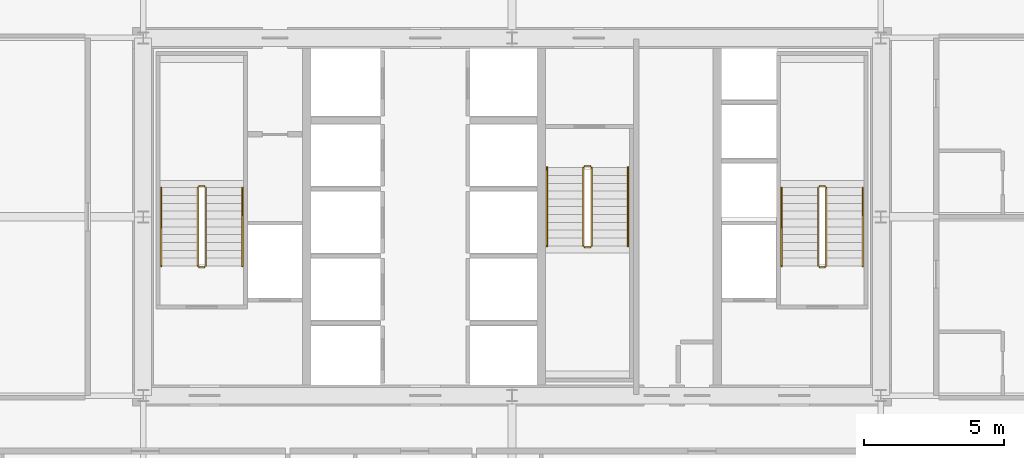
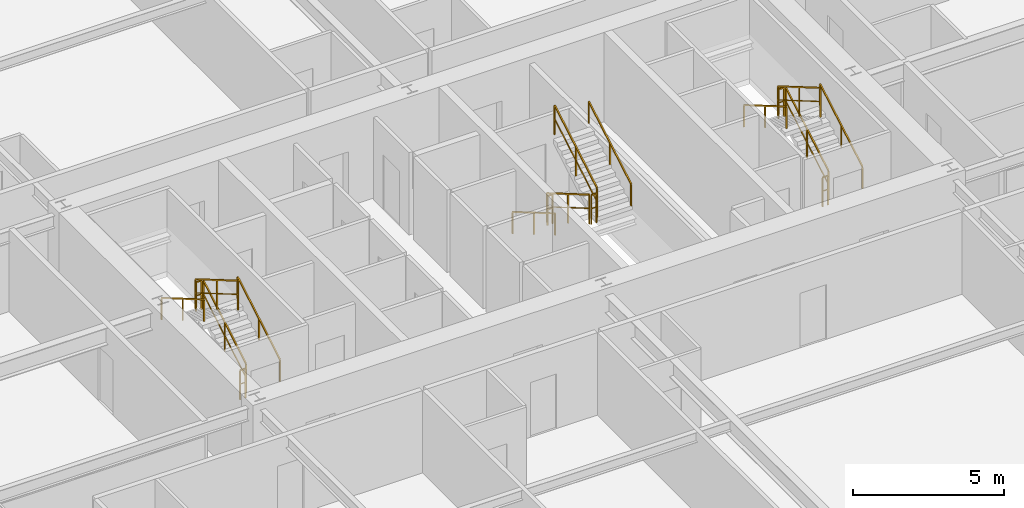
# One storey, part 38 of 38: 18 railings.
"""IFC4 building model written with IfcOpenShell, lengths in metres."""

from ifc_helpers import new_model, si_unit, direction, frame, origin, origin_2d, place, context, subcontext, project, spatial, rectangle, extrude, source, transform, mapped, material, layer, layer_set, type_object, element, save


model = new_model("IFC4")

# Units and contexts
model_context = context("Model", 3, precision=1e-05, world=origin(), true_north=direction((0.0, 1.0)))
body_context = subcontext(model_context, "Body", "Model", "MODEL_VIEW")
ifc_project = project(units=[si_unit("LENGTHUNIT", "METRE"), si_unit("AREAUNIT", "SQUARE_METRE"), si_unit("VOLUMEUNIT", "CUBIC_METRE"), si_unit("PLANEANGLEUNIT", "RADIAN"), si_unit("MASSUNIT", "GRAM", prefix="KILO"), si_unit("THERMODYNAMICTEMPERATUREUNIT", "KELVIN"), si_unit("POWERUNIT", "WATT")], contexts=[model_context])

# Site, building, storey
site_placement = place(None, origin())
site = spatial("IfcSite", under=ifc_project, at=site_placement, CompositionType="ELEMENT")
building_placement = place(site_placement, origin())
building = spatial("IfcBuilding", under=site, at=building_placement, Name="Yuzanri Waterfront Tower", CompositionType="ELEMENT")
storey_placement = place(building_placement, frame((0.0, 0.0, 126.199951171875)))
storey = spatial("IfcBuildingStorey", under=building, at=storey_placement, Name="L33", CompositionType="ELEMENT", Elevation=126.199951171875)

# Railings
ifc_material_1 = material(Name="Painted Galvanized Fire Steel", Category="steel")
ifc_layer_1 = layer(ifc_material_1, 0.06005859375)
ifc_layer_set_1 = layer_set([ifc_layer_1], Name="Painted Galvanized Fire Steel")
railing_type_1 = type_object("IfcRailingType", Name="Painted Steel Stairwell Guardrail 1120", PredefinedType="GUARDRAIL", material=ifc_layer_set_1)
shared_shape_1 = source(origin(), body_context, "Body", "SweptSolid", [
    extrude(rectangle(XDim=0.050048828125, YDim=0.050048828125, at=origin_2d()), frame((0.0, 0.0, 1.1748046875), z_axis=(-1.0, 0.0, 0.0), x_axis=(0.0, -1.0, 0.0)), (0.0, 0.0, 1.0), 0.199951171875),
    extrude(rectangle(XDim=0.035888671875, YDim=0.030029296875, at=origin_2d()), frame((0.0, 0.0, 0.6240234375), z_axis=(-1.0, 0.0, 0.0), x_axis=(0.0, -1.0, 0.0)), (0.0, 0.0, 1.0), 0.199951171875),
    extrude(rectangle(XDim=0.0458984375, YDim=0.0458984375, at=origin_2d()), origin(), (0.0, 0.0, 1.0), 1.14990234375),
    extrude(rectangle(XDim=0.0458984375, YDim=0.0458984375, at=origin_2d()), frame((-0.199951171875, 0.0, 0.0)), (0.0, 0.0, 1.0), 1.14990234375),
])
for number, where, name in (
    (1, (26.0, 26.889892578125, 1.800048828125), "L33 ST-01 stair guard 2"),
    (2, (26.0, 23.989990234375, 0.0), "L33 ST-01 stair guard 4"),
    (3, (48.199951171875, 26.889892578125, 1.800048828125), "L33 ST-02 stair guard 2"),
    (4, (48.199951171875, 23.989990234375, 0.0), "L33 ST-02 stair guard 4"),
):
    element("IfcRailing", number, at=place(storey_placement, frame(where)), inside=storey, type_object=railing_type_1, Name=name, PredefinedType="GUARDRAIL", context=body_context, shape_type="MappedRepresentation", body=[
        mapped(shared_shape_1, transform((0.0, 0.0, 0.0), scale=1.0)),
    ])
shared_shape_2 = source(origin(), body_context, "Body", "SweptSolid", [
    extrude(rectangle(XDim=0.050048828125, YDim=0.050048828125, at=origin_2d()), frame((0.0, 0.0, 1.1748046875), z_axis=(0.0, 0.863360870873, 0.504586966384), x_axis=(-1.0, 0.0, 0.0)), (0.0, 0.0, 1.0), 3.2431640625),
    extrude(rectangle(XDim=0.035888671875, YDim=0.030029296875, at=origin_2d()), frame((0.0, 0.0, 0.6240234375), z_axis=(0.0, 0.863360870873, 0.504586966384), x_axis=(-1.0, 0.0, 0.0)), (0.0, 0.0, 1.0), 3.2431640625),
    extrude(rectangle(XDim=0.0458984375, YDim=0.0458984375, at=origin_2d()), origin(), (0.0, 0.0, 1.0), 1.14990234375),
    extrude(rectangle(XDim=0.0458984375, YDim=0.0458984375, at=origin_2d()), frame((0.0, 1.39990234375, 0.818359375)), (0.0, 0.0, 1.0), 1.14990234375),
    extrude(rectangle(XDim=0.0458984375, YDim=0.0458984375, at=origin_2d()), frame((0.0, 2.800048828125, 1.636474609375)), (0.0, 0.0, 1.0), 1.14990234375),
])
for number, where, name in (
    (5, (26.050048828125, 24.0400390625, 0.16357421875), "L33 ST-01 stair guard 1"),
    (6, (48.25, 24.0400390625, 0.16357421875), "L33 ST-02 stair guard 1"),
    (7, (39.85009765625, 24.760009765625, 1.963623046875), "L33 ST-03 stair guard 3"),
):
    element("IfcRailing", number, at=place(storey_placement, frame(where)), inside=storey, type_object=railing_type_1, Name=name, PredefinedType="GUARDRAIL", context=body_context, shape_type="MappedRepresentation", body=[
        mapped(shared_shape_2, transform((0.0, 0.0, 0.0), scale=1.0)),
    ])
shared_shape_3 = source(origin(), body_context, "Body", "SweptSolid", [
    extrude(rectangle(XDim=0.050048828125, YDim=0.050048828125, at=origin_2d()), frame((0.0, 0.0, 1.1748046875), z_axis=(0.0, -0.863360870873, 0.504586966384), x_axis=(1.0, 0.0, 0.0)), (0.0, 0.0, 1.0), 3.2431640625),
    extrude(rectangle(XDim=0.035888671875, YDim=0.030029296875, at=origin_2d()), frame((0.0, 0.0, 0.6240234375), z_axis=(0.0, -0.863360870873, 0.504586966384), x_axis=(1.0, 0.0, 0.0)), (0.0, 0.0, 1.0), 3.2431640625),
    extrude(rectangle(XDim=0.0458984375, YDim=0.0458984375, at=origin_2d()), origin(), (0.0, 0.0, 1.0), 1.14990234375),
    extrude(rectangle(XDim=0.0458984375, YDim=0.0458984375, at=origin_2d()), frame((0.0, -1.39990234375, 0.818359375)), (0.0, 0.0, 1.0), 1.14990234375),
    extrude(rectangle(XDim=0.0458984375, YDim=0.0458984375, at=origin_2d()), frame((0.0, -2.800048828125, 1.636474609375)), (0.0, 0.0, 1.0), 1.14990234375),
])
for number, where, name in (
    (8, (25.75, 26.840087890625, 1.963623046875), "L33 ST-01 stair guard 3"),
    (9, (47.949951171875, 26.840087890625, 1.963623046875), "L33 ST-02 stair guard 3"),
    (10, (39.550048828125, 27.56005859375, 0.16357421875), "L33 ST-03 stair guard 1"),
):
    element("IfcRailing", number, at=place(storey_placement, frame(where)), inside=storey, type_object=railing_type_1, Name=name, PredefinedType="GUARDRAIL", context=body_context, shape_type="MappedRepresentation", body=[
        mapped(shared_shape_3, transform((0.0, 0.0, 0.0), scale=1.0)),
    ])
ifc_material_2 = material(Name="Anodized Architectural Bronze", Category="metal")
ifc_layer_2 = layer(ifc_material_2, 0.050048828125)
ifc_layer_set_2 = layer_set([ifc_layer_2], Name="Anodized Architectural Bronze")
railing_type_2 = type_object("IfcRailingType", Name="Brushed Bronze Stair Pitch Handrail 920", PredefinedType="HANDRAIL", material=ifc_layer_set_2)
shared_shape_4 = source(origin(), body_context, "Body", "SweptSolid", [
    extrude(rectangle(XDim=0.050048828125, YDim=0.050048828125, at=origin_2d()), frame((0.0, 0.0, 0.875), z_axis=(0.0, 0.863360870873, 0.504586966384), x_axis=(-1.0, 0.0, 0.0)), (0.0, 0.0, 1.0), 3.2431640625),
    extrude(rectangle(XDim=0.0458984375, YDim=0.0458984375, at=origin_2d()), origin(), (0.0, 0.0, 1.0), 0.849853515625),
    extrude(rectangle(XDim=0.0458984375, YDim=0.0458984375, at=origin_2d()), frame((0.0, 1.39990234375, 0.818359375)), (0.0, 0.0, 1.0), 0.849853515625),
    extrude(rectangle(XDim=0.0458984375, YDim=0.0458984375, at=origin_2d()), frame((0.0, 2.800048828125, 1.636474609375)), (0.0, 0.0, 1.0), 0.849853515625),
])
for number, where, name in (
    (11, (27.35009765625, 24.0400390625, 0.16357421875), "L33 ST-01 stair handrail 1"),
    (12, (49.550048828125, 24.0400390625, 0.16357421875), "L33 ST-02 stair handrail 1"),
    (13, (41.14990234375, 24.760009765625, 1.963623046875), "L33 ST-03 stair handrail 2"),
):
    element("IfcRailing", number, at=place(storey_placement, frame(where)), inside=storey, type_object=railing_type_2, Name=name, PredefinedType="HANDRAIL", context=body_context, shape_type="MappedRepresentation", body=[
        mapped(shared_shape_4, transform((0.0, 0.0, 0.0), scale=1.0)),
    ])
shared_shape_5 = source(origin(), body_context, "Body", "SweptSolid", [
    extrude(rectangle(XDim=0.050048828125, YDim=0.050048828125, at=origin_2d()), frame((0.0, 0.0, 0.875), z_axis=(0.0, -0.863360870873, 0.504586966384), x_axis=(1.0, 0.0, 0.0)), (0.0, 0.0, 1.0), 3.2431640625),
    extrude(rectangle(XDim=0.0458984375, YDim=0.0458984375, at=origin_2d()), origin(), (0.0, 0.0, 1.0), 0.849853515625),
    extrude(rectangle(XDim=0.0458984375, YDim=0.0458984375, at=origin_2d()), frame((0.0, -1.39990234375, 0.818359375)), (0.0, 0.0, 1.0), 0.849853515625),
    extrude(rectangle(XDim=0.0458984375, YDim=0.0458984375, at=origin_2d()), frame((0.0, -2.800048828125, 1.636474609375)), (0.0, 0.0, 1.0), 0.849853515625),
])
for number, where, name in (
    (14, (24.449951171875, 26.840087890625, 1.963623046875), "L33 ST-01 stair handrail 2"),
    (15, (46.64990234375, 26.840087890625, 1.963623046875), "L33 ST-02 stair handrail 2"),
    (16, (38.25, 27.56005859375, 0.16357421875), "L33 ST-03 stair handrail 1"),
):
    element("IfcRailing", number, at=place(storey_placement, frame(where)), inside=storey, type_object=railing_type_2, Name=name, PredefinedType="HANDRAIL", context=body_context, shape_type="MappedRepresentation", body=[
        mapped(shared_shape_5, transform((0.0, 0.0, 0.0), scale=1.0)),
    ])
shared_shape_6 = source(origin(), body_context, "Body", "SweptSolid", [
    extrude(rectangle(XDim=0.050048828125, YDim=0.050048828125, at=origin_2d()), frame((0.0, 0.0, 1.1748046875), z_axis=(1.0, 0.0, 0.0), x_axis=(0.0, 1.0, 0.0)), (0.0, 0.0, 1.0), 0.199951171875),
    extrude(rectangle(XDim=0.035888671875, YDim=0.030029296875, at=origin_2d()), frame((0.0, 0.0, 0.6240234375), z_axis=(1.0, 0.0, 0.0), x_axis=(0.0, 1.0, 0.0)), (0.0, 0.0, 1.0), 0.199951171875),
    extrude(rectangle(XDim=0.0458984375, YDim=0.0458984375, at=origin_2d()), origin(), (0.0, 0.0, 1.0), 1.14990234375),
    extrude(rectangle(XDim=0.0458984375, YDim=0.0458984375, at=origin_2d()), frame((0.199951171875, 0.0, 0.0)), (0.0, 0.0, 1.0), 1.14990234375),
])
for number, where, name in (
    (17, (39.60009765625, 24.7099609375, 1.800048828125), "L33 ST-03 stair guard 2"),
    (18, (39.60009765625, 27.610107421875, 0.0), "L33 ST-03 stair guard 4"),
):
    element("IfcRailing", number, at=place(storey_placement, frame(where)), inside=storey, type_object=railing_type_1, Name=name, PredefinedType="GUARDRAIL", context=body_context, shape_type="MappedRepresentation", body=[
        mapped(shared_shape_6, transform((0.0, 0.0, 0.0), scale=1.0)),
    ])

save(model, "model.ifc")
